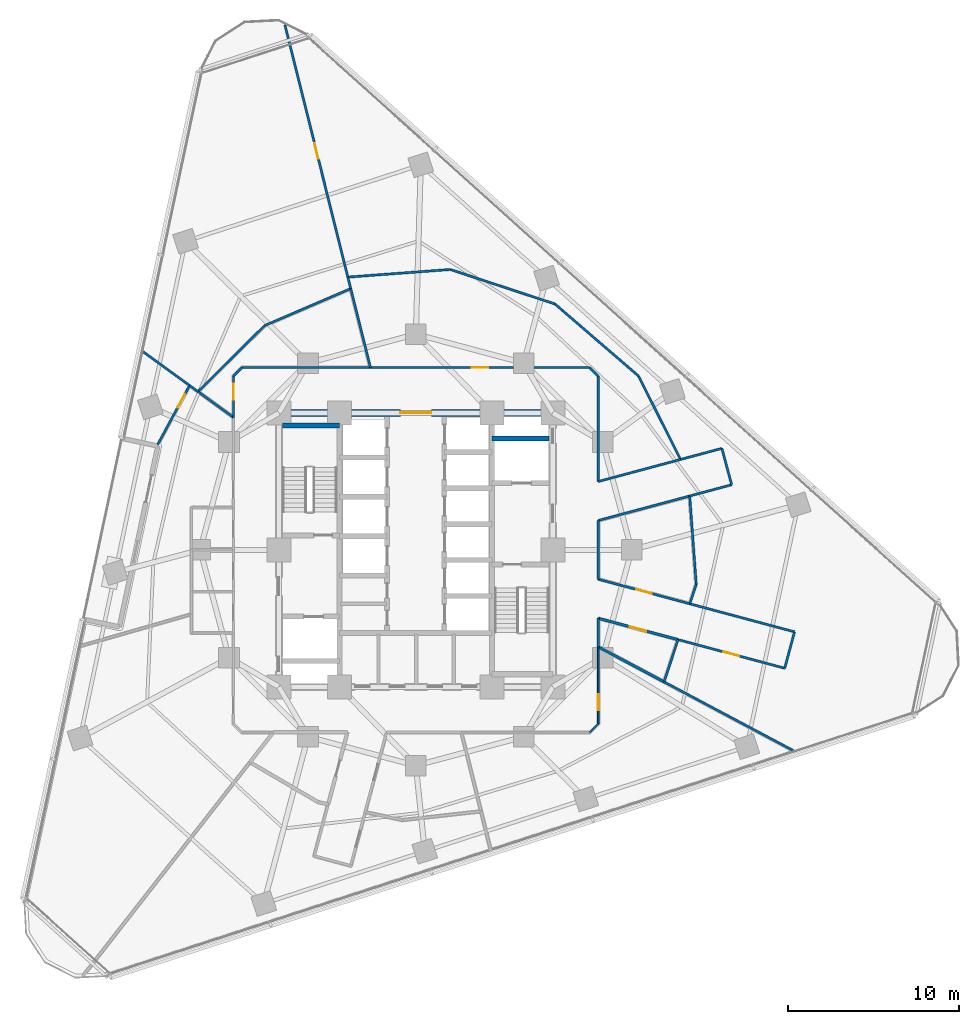
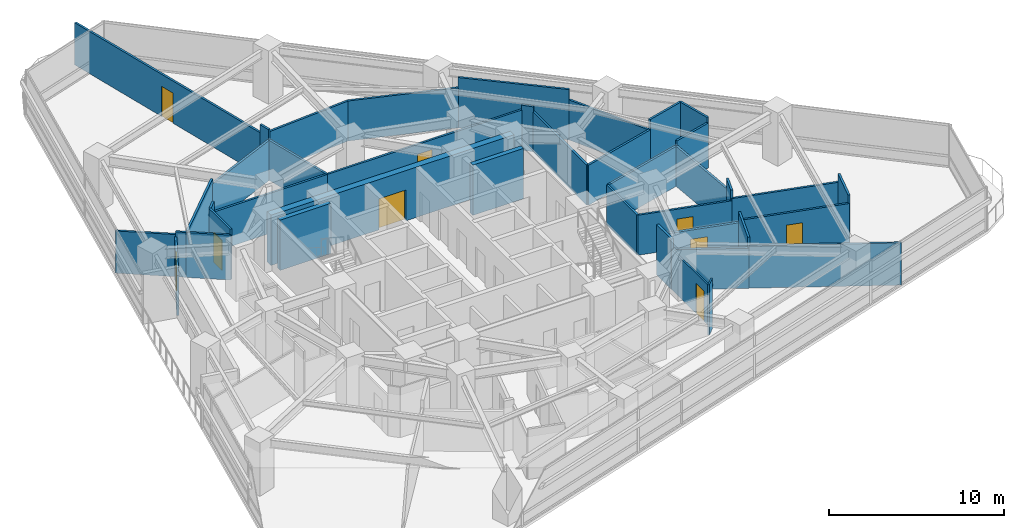
# One storey, part 9 of 14: 41 walls, 9 doors, 9 openings.
"""IFC4 building model written with IfcOpenShell, lengths in metres."""

from ifc_helpers import new_model, si_unit, direction, frame, frame_2d, origin, place, context, subcontext, project, spatial, rectangle, extrude, material, layer, layer_set, type_object, element, fill, save


model = new_model("IFC4")

# Units and contexts
model_context = context("Model", 3, precision=1e-05, world=origin(), true_north=direction((0.0, 1.0)))
body_context = subcontext(model_context, "Body", "Model", "MODEL_VIEW")
ifc_project = project(units=[si_unit("LENGTHUNIT", "METRE"), si_unit("AREAUNIT", "SQUARE_METRE"), si_unit("VOLUMEUNIT", "CUBIC_METRE"), si_unit("PLANEANGLEUNIT", "RADIAN"), si_unit("MASSUNIT", "GRAM", prefix="KILO")], contexts=[model_context])

# Site, building, storey
site_placement = place(None, origin())
site = spatial("IfcSite", under=ifc_project, at=site_placement, CompositionType="ELEMENT")
building_placement = place(site_placement, origin())
building = spatial("IfcBuilding", under=site, at=building_placement, Name="Terralouvre Media Tower", CompositionType="ELEMENT")
storey_placement = place(building_placement, frame((0.0, 0.0, 112.5)))
storey = spatial("IfcBuildingStorey", under=building, at=storey_placement, Name="L28", CompositionType="ELEMENT", Elevation=112.5)

# Walls
ifc_material_1 = material(Name="Concrete C50/60", Category="concrete")
ifc_layer_1 = layer(ifc_material_1, 0.300048828125, Name="Core Internal Shaft Wall CW-300")
ifc_layer_set_1 = layer_set([ifc_layer_1], Name="Concrete C50/60")
wall_type_1 = type_object("IfcWallType", Name="Core Internal Shaft Wall CW-300", PredefinedType="SHEAR", material=ifc_layer_set_1)
for number, where, z_axis, x_axis, name in (
    (1, (-7.7900390625, 7.260009765625, 0.0), (0.0, 0.0, 1.0), (1.0, 0.0, 0.0), "L28 Core Shaft Wall ST1F"),
    (2, (4.449951171875, 6.5, 0.0), (0.0, 0.0, 1.0), (1.0, 0.0, 0.0), "L28 Core Shaft Wall FF2N"),
):
    element("IfcWall", number, at=place(storey_placement, frame(where, z_axis=z_axis, x_axis=x_axis)), inside=storey, type_object=wall_type_1, Name=name, PredefinedType="SHEAR", context=body_context, shape_type="SweptSolid", body=[
        extrude(rectangle(XDim=3.340087890625, YDim=0.300048828125, at=frame_2d((1.669921875, 0.0))), origin(), (0.0, 0.0, 1.0), 3.5),
    ])

# Wall, opening, door
ifc_material_2 = material(Name="Concrete C60/75", Category="concrete")
ifc_layer_2 = layer(ifc_material_2, 0.419921875, Name="Core Reinforced Concrete Shear Wall CW-420")
ifc_layer_set_2 = layer_set([ifc_layer_2], Name="Concrete C60/75")
wall_type_2 = type_object("IfcWallType", Name="Core Reinforced Concrete Shear Wall CW-420", PredefinedType="SHEAR", material=ifc_layer_set_2)
wall_1_placement = place(storey_placement, frame((-8.0, 8.0, 0.0), z_axis=(0.0, 0.0, 1.0), x_axis=(1.0, 0.0, 0.0)))
wall_1 = element("IfcWall", 3, at=wall_1_placement, inside=storey, type_object=wall_type_2, Name="L28 N Core Shear Wall", PredefinedType="SHEAR", context=body_context, shape_type="SweptSolid", body=[
    extrude(rectangle(XDim=16.0, YDim=0.419921875, at=frame_2d((8.0, 0.0))), origin(), (0.0, 0.0, 1.0), 3.5),
])
opening_1_placement = place(wall_1_placement, frame((7.10009765625, 0.0, 0.0)))
opening_1 = element("IfcOpeningElement", 4, at=opening_1_placement, cuts=wall_1, Name="Opening FD-03", PredefinedType="OPENING", context=body_context, shape_type="SweptSolid", body=[
    extrude(rectangle(XDim=1.800048828125, YDim=2.14990234375, at=frame_2d((0.89990234375, 1.074951171875))), frame((0.0, 0.219970703125, 0.0), z_axis=(0.0, -1.0, 0.0), x_axis=(1.0, 0.0, 0.0)), (0.0, 0.0, 1.0), 0.43994140625),
])
ifc_material_3 = material(Name="Galvanised steel fire-resisting leaf", Category="steel")
door_type_1 = type_object("IfcDoorType", Name="Corridor Smoke-Control Double Door FD-03", OperationType="DOUBLE_DOOR_SINGLE_SWING", PredefinedType="DOOR", material=ifc_material_3)
door_1_placement = place(opening_1_placement, origin())
door_1 = element("IfcDoor", 5, at=door_1_placement, inside=storey, type_object=door_type_1, Name="L28 Central Lift Lobby Portal Door", OperationType="DOUBLE_DOOR_SINGLE_SWING", OverallHeight=2.14990234375, OverallWidth=1.800048828125, PredefinedType="DOOR", context=body_context, shape_type="SweptSolid", body=[
    extrude(rectangle(XDim=1.800048828125, YDim=2.14990234375, at=frame_2d((0.89990234375, 1.074951171875))), frame((0.0, 0.02490234375, 0.0), z_axis=(0.0, -1.0, 0.0), x_axis=(1.0, 0.0, 0.0)), (0.0, 0.0, 1.0), 0.050048828125),
])
fill(opening_1, door_1)

# Wall
ifc_material_4 = material(Name="Low-iron laminated double glazing with solar-control coating", Category="glass")
ifc_layer_3 = layer(ifc_material_4, 0.10009765625, Name="Demountable Glazed Office Partition PT-GL100")
ifc_layer_set_3 = layer_set([ifc_layer_3], Name="Low-iron laminated double glazing with solar-control coating")
wall_type_3 = type_object("IfcWallType", Name="Demountable Glazed Office Partition PT-GL100", PredefinedType="MOVABLE", material=ifc_layer_set_3)
wall_2_placement = place(storey_placement, frame((10.14990234375, -10.64990234375, 0.0), z_axis=(0.0, 0.0, 1.0), x_axis=(0.707106781187, 0.707106781187, 0.0)))
element("IfcWall", 6, at=wall_2_placement, inside=storey, type_object=wall_type_3, Name="L28 Interior Partition 029", PredefinedType="MOVABLE", context=body_context, shape_type="SweptSolid", body=[
    extrude(rectangle(XDim=0.70703125, YDim=0.10009765625, at=frame_2d((0.353515625, 0.0))), origin(), (0.0, 0.0, 1.0), 3.5),
])

# Wall, opening, door
wall_3_placement = place(storey_placement, frame((10.64990234375, -10.14990234375, 0.0), z_axis=(0.0, 0.0, 1.0), x_axis=(0.0, 1.0, 0.0)))
wall_3 = element("IfcWall", 7, at=wall_3_placement, inside=storey, type_object=wall_type_3, Name="L28 Interior Partition 030", PredefinedType="MOVABLE", context=body_context, shape_type="SweptSolid", body=[
    extrude(rectangle(XDim=4.48681640625, YDim=0.10009765625, at=frame_2d((2.243408203125, 0.0))), origin(), (0.0, 0.0, 1.0), 2.784912109375),
])
opening_2_placement = place(wall_3_placement, frame((0.79638671875, 0.0, 0.0)))
opening_2 = element("IfcOpeningElement", 8, at=opening_2_placement, cuts=wall_3, Name="Opening ID-03-92X210", PredefinedType="OPENING", context=body_context, shape_type="SweptSolid", body=[
    extrude(rectangle(XDim=0.919921875, YDim=2.10009765625, at=frame_2d((0.4599609375, 1.050048828125))), frame((0.0, 0.06005859375, 0.0), z_axis=(0.0, -1.0, 0.0), x_axis=(1.0, 0.0, 0.0)), (0.0, 0.0, 1.0), 0.1201171875),
])
ifc_material_5 = material(Name="Engineered hardwood acoustic timber leaf", Category="wood")
door_type_2 = type_object("IfcDoorType", Name="Accessible Restroom and Suite Door ID-03 (920x2100)", OperationType="NOTDEFINED", PredefinedType="DOOR", material=ifc_material_5)
door_2_placement = place(opening_2_placement, origin())
door_2 = element("IfcDoor", 9, at=door_2_placement, inside=storey, type_object=door_type_2, Name="L28 Compliance Review Seminar Room 9 Door", OperationType="SINGLE_SWING_RIGHT", OverallHeight=2.10009765625, OverallWidth=0.919921875, PredefinedType="DOOR", context=body_context, shape_type="SweptSolid", body=[
    extrude(rectangle(XDim=0.919921875, YDim=2.10009765625, at=frame_2d((0.4599609375, 1.050048828125))), frame((0.0, 0.02490234375, 0.0), z_axis=(0.0, -1.0, 0.0), x_axis=(1.0, 0.0, 0.0)), (0.0, 0.0, 1.0), 0.050048828125),
])
fill(opening_2, door_2)

# Walls
ifc_material_6 = material(Name="Fire-rated gypsum board drywall partition")
ifc_layer_4 = layer(ifc_material_6, 0.135009765625, Name="Newsroom Acoustic Partition PT-135")
ifc_layer_set_4 = layer_set([ifc_layer_4], Name="Fire-rated gypsum board drywall partition")
wall_type_4 = type_object("IfcWallType", Name="Newsroom Acoustic Partition PT-135", PredefinedType="PARTITIONING", material=ifc_layer_set_4)
wall_4_placement = place(storey_placement, frame((15.4599609375, 5.281005859375, 0.0), z_axis=(0.0, 0.0, 1.0), x_axis=(-0.96591522342, -0.258858612306, 0.0)))
element("IfcWall", 10, at=wall_4_placement, inside=storey, type_object=wall_type_4, Name="L28 Interior Partition 001", PredefinedType="PARTITIONING", context=body_context, shape_type="SweptSolid", body=[
    extrude(rectangle(XDim=4.979736328125, YDim=0.135009765625, at=frame_2d((2.48974609375, 0.0))), origin(), (0.0, 0.0, 1.0), 2.784912109375),
])
wall_5_placement = place(storey_placement, frame((10.64990234375, 3.991943359375, 0.0), z_axis=(0.0, 0.0, 1.0), x_axis=(0.0, 1.0, 0.0)))
element("IfcWall", 11, at=wall_5_placement, inside=storey, type_object=wall_type_4, Name="L28 Interior Partition 002", PredefinedType="PARTITIONING", context=body_context, shape_type="SweptSolid", body=[
    extrude(rectangle(XDim=6.157958984375, YDim=0.135009765625, at=frame_2d((3.0791015625, 0.0))), origin(), (0.0, 0.0, 1.0), 2.784912109375),
])
wall_6_placement = place(storey_placement, frame((10.64990234375, 10.14990234375, 0.0), z_axis=(0.0, 0.0, 1.0), x_axis=(-0.707106781187, 0.707106781187, 0.0)))
element("IfcWall", 12, at=wall_6_placement, inside=storey, type_object=wall_type_4, Name="L28 Interior Partition 003", PredefinedType="PARTITIONING", context=body_context, shape_type="SweptSolid", body=[
    extrude(rectangle(XDim=0.70703125, YDim=0.135009765625, at=frame_2d((0.353515625, 0.0))), origin(), (0.0, 0.0, 1.0), 3.125),
])

# Wall, opening, door
wall_7_placement = place(storey_placement, frame((10.14990234375, 10.64990234375, 0.0), z_axis=(0.0, 0.0, 1.0), x_axis=(-1.0, 0.0, 0.0)))
wall_7 = element("IfcWall", 13, at=wall_7_placement, inside=storey, type_object=wall_type_4, Name="L28 Interior Partition 004", PredefinedType="PARTITIONING", context=body_context, shape_type="SweptSolid", body=[
    extrude(rectangle(XDim=12.804931640625, YDim=0.135009765625, at=frame_2d((6.40234375, 0.0))), origin(), (0.0, 0.0, 1.0), 2.784912109375),
])
opening_3_placement = place(wall_7_placement, frame((5.927490234375, 0.0, 0.0)))
opening_3 = element("IfcOpeningElement", 14, at=opening_3_placement, cuts=wall_7, Name="Opening ID-02-95X210", PredefinedType="OPENING", context=body_context, shape_type="SweptSolid", body=[
    extrude(rectangle(XDim=0.949951171875, YDim=2.10009765625, at=frame_2d((0.47509765625, 1.050048828125))), frame((0.0, 0.077392578125, 0.0), z_axis=(0.0, -1.0, 0.0), x_axis=(1.0, 0.0, 0.0)), (0.0, 0.0, 1.0), 0.155029296875),
])
ifc_material_7 = material(Name="Engineered hardwood acoustic timber leaf", Category="wood")
door_type_3 = type_object("IfcDoorType", Name="Office and Meeting Room Door ID-02 (950x2100)", OperationType="NOTDEFINED", PredefinedType="DOOR", material=ifc_material_7)
door_3_placement = place(opening_3_placement, origin())
door_3 = element("IfcDoor", 15, at=door_3_placement, inside=storey, type_object=door_type_3, Name="L28 Sealed Legal Archive Storage 1 Door", OperationType="SINGLE_SWING_RIGHT", OverallHeight=2.10009765625, OverallWidth=0.949951171875, PredefinedType="DOOR", context=body_context, shape_type="SweptSolid", body=[
    extrude(rectangle(XDim=0.949951171875, YDim=2.10009765625, at=frame_2d((0.47509765625, 1.050048828125))), frame((0.0, 0.02490234375, 0.0), z_axis=(0.0, -1.0, 0.0), x_axis=(1.0, 0.0, 0.0)), (0.0, 0.0, 1.0), 0.050048828125),
])
fill(opening_3, door_3)

wall_8_placement = place(storey_placement, frame((15.31201171875, -5.241943359375, 0.0), z_axis=(0.0, 0.0, 1.0), x_axis=(0.965923394249, -0.258828121428, 0.0)))
wall_8 = element("IfcWall", 16, at=wall_8_placement, inside=storey, type_object=wall_type_4, Name="L28 Interior Partition 005", PredefinedType="PARTITIONING", context=body_context, shape_type="SweptSolid", body=[
    extrude(rectangle(XDim=6.452880859375, YDim=0.135009765625, at=frame_2d((3.2265625, 0.0))), origin(), (0.0, 0.0, 1.0), 2.93505859375),
])
opening_4_placement = place(wall_8_placement, frame((2.75146484375, 0.0, 0.0)))
opening_4 = element("IfcOpeningElement", 17, at=opening_4_placement, cuts=wall_8, Name="Opening ID-02-95X210", PredefinedType="OPENING", context=body_context, shape_type="SweptSolid", body=[
    extrude(rectangle(XDim=0.949951171875, YDim=2.10009765625, at=frame_2d((0.47509765625, 1.050048828125))), frame((0.0, 0.077392578125, 0.0), z_axis=(0.0, -1.0, 0.0), x_axis=(1.0, 0.0, 0.0)), (0.0, 0.0, 1.0), 0.155029296875),
])
door_4_placement = place(opening_4_placement, origin())
door_4 = element("IfcDoor", 18, at=door_4_placement, inside=storey, type_object=door_type_3, Name="L28 Deeds and Contracts Vault Store 2 Door", OperationType="SINGLE_SWING_LEFT", OverallHeight=2.10009765625, OverallWidth=0.949951171875, PredefinedType="DOOR", context=body_context, shape_type="SweptSolid", body=[
    extrude(rectangle(XDim=0.949951171875, YDim=2.10009765625, at=frame_2d((0.47509765625, 1.050048828125))), frame((0.0, 0.02490234375, 0.0), z_axis=(0.0, -1.0, 0.0), x_axis=(1.0, 0.0, 0.0)), (0.0, 0.0, 1.0), 0.050048828125),
])
fill(opening_4, door_4)

# Walls
wall_9_placement = place(storey_placement, frame((21.544921875, -6.912109375, 0.0), z_axis=(0.0, 0.0, 1.0), x_axis=(0.259105843213, 0.965848933329, 0.0)))
element("IfcWall", 19, at=wall_9_placement, inside=storey, type_object=wall_type_4, Name="L28 Interior Partition 006", PredefinedType="PARTITIONING", context=body_context, shape_type="SweptSolid", body=[
    extrude(rectangle(XDim=2.2001953125, YDim=0.135009765625, at=frame_2d((1.10009765625, 0.0))), origin(), (0.0, 0.0, 1.0), 3.5),
])
wall_10_placement = place(storey_placement, frame((22.114990234375, -4.787109375, 0.0), z_axis=(0.0, 0.0, 1.0), x_axis=(-0.965917916001, 0.258848564894, 0.0)))
element("IfcWall", 20, at=wall_10_placement, inside=storey, type_object=wall_type_4, Name="L28 Interior Partition 007", PredefinedType="PARTITIONING", context=body_context, shape_type="SweptSolid", body=[
    extrude(rectangle(XDim=6.32861328125, YDim=0.135009765625, at=frame_2d((3.164306640625, 0.0))), origin(), (0.0, 0.0, 1.0), 2.93505859375),
])
wall_11_placement = place(storey_placement, frame((15.993896484375, 3.14697265625, 0.0), z_axis=(0.0, 0.0, 1.0), x_axis=(0.965977255775, 0.258627031314, 0.0)))
element("IfcWall", 21, at=wall_11_placement, inside=storey, type_object=wall_type_4, Name="L28 Interior Partition 008", PredefinedType="PARTITIONING", context=body_context, shape_type="SweptSolid", body=[
    extrude(rectangle(XDim=2.536376953125, YDim=0.135009765625, at=frame_2d((1.26806640625, 0.0))), origin(), (0.0, 0.0, 1.0), 3.125),
])
wall_12_placement = place(storey_placement, frame((18.444091796875, 3.802978515625, 0.0), z_axis=(0.0, 0.0, 1.0), x_axis=(-0.258691706618, 0.965959937537, 0.0)))
element("IfcWall", 22, at=wall_12_placement, inside=storey, type_object=wall_type_4, Name="L28 Interior Partition 009", PredefinedType="PARTITIONING", context=body_context, shape_type="SweptSolid", body=[
    extrude(rectangle(XDim=2.199951171875, YDim=0.135009765625, at=frame_2d((1.10009765625, 0.0))), origin(), (0.0, 0.0, 1.0), 3.5),
])
wall_13_placement = place(storey_placement, frame((17.875, 5.927978515625, 0.0), z_axis=(0.0, 0.0, 1.0), x_axis=(-0.96593933493, -0.258768624905, 0.0)))
element("IfcWall", 23, at=wall_13_placement, inside=storey, type_object=wall_type_4, Name="L28 Interior Partition 010", PredefinedType="PARTITIONING", context=body_context, shape_type="SweptSolid", body=[
    extrude(rectangle(XDim=2.500244140625, YDim=0.135009765625, at=frame_2d((1.25, 0.0))), origin(), (0.0, 0.0, 1.0), 3.5),
])

# Wall, opening, door
wall_14_placement = place(storey_placement, frame((16.001953125, -3.14892578125, 0.0), z_axis=(0.0, 0.0, 1.0), x_axis=(-0.965936644937, 0.258778665985, 0.0)))
wall_14 = element("IfcWall", 24, at=wall_14_placement, inside=storey, type_object=wall_type_4, Name="L28 Interior Partition 011", PredefinedType="PARTITIONING", context=body_context, shape_type="SweptSolid", body=[
    extrude(rectangle(XDim=5.540771484375, YDim=0.135009765625, at=frame_2d((2.7705078125, 0.0))), origin(), (0.0, 0.0, 1.0), 2.784912109375),
])
opening_5_placement = place(wall_14_placement, frame((2.29541015625, 0.0, 0.0)))
opening_5 = element("IfcOpeningElement", 25, at=opening_5_placement, cuts=wall_14, Name="Opening ID-02-95X210", PredefinedType="OPENING", context=body_context, shape_type="SweptSolid", body=[
    extrude(rectangle(XDim=0.949951171875, YDim=2.10009765625, at=frame_2d((0.47509765625, 1.050048828125))), frame((0.0, 0.077392578125, 0.0), z_axis=(0.0, -1.0, 0.0), x_axis=(1.0, 0.0, 0.0)), (0.0, 0.0, 1.0), 0.155029296875),
])
door_5_placement = place(opening_5_placement, origin())
door_5 = element("IfcDoor", 26, at=door_5_placement, inside=storey, type_object=door_type_3, Name="L28 Editorial Collaborative Open Office 3 Door", OperationType="SINGLE_SWING_RIGHT", OverallHeight=2.10009765625, OverallWidth=0.949951171875, PredefinedType="DOOR", context=body_context, shape_type="SweptSolid", body=[
    extrude(rectangle(XDim=0.949951171875, YDim=2.10009765625, at=frame_2d((0.47509765625, 1.050048828125))), frame((0.0, 0.02490234375, 0.0), z_axis=(0.0, -1.0, 0.0), x_axis=(1.0, 0.0, 0.0)), (0.0, 0.0, 1.0), 0.050048828125),
])
fill(opening_5, door_5)

# Walls
wall_15_placement = place(storey_placement, frame((10.64990234375, -1.715087890625, 0.0), z_axis=(0.0, 0.0, 1.0), x_axis=(0.0, 1.0, 0.0)))
element("IfcWall", 27, at=wall_15_placement, inside=storey, type_object=wall_type_4, Name="L28 Interior Partition 012", PredefinedType="PARTITIONING", context=body_context, shape_type="SweptSolid", body=[
    extrude(rectangle(XDim=3.43017578125, YDim=0.135009765625, at=frame_2d((1.715087890625, 0.0))), origin(), (0.0, 0.0, 1.0), 2.784912109375),
])
wall_16_placement = place(storey_placement, frame((10.64990234375, 1.715087890625, 0.0), z_axis=(0.0, 0.0, 1.0), x_axis=(0.965927369368, 0.258813286187, 0.0)))
element("IfcWall", 28, at=wall_16_placement, inside=storey, type_object=wall_type_4, Name="L28 Interior Partition 013", PredefinedType="PARTITIONING", context=body_context, shape_type="SweptSolid", body=[
    extrude(rectangle(XDim=5.532470703125, YDim=0.135009765625, at=frame_2d((2.76611328125, 0.0))), origin(), (0.0, 0.0, 1.0), 2.784912109375),
])
wall_17_placement = place(storey_placement, frame((-2.655029296875, 10.64990234375, 0.0), z_axis=(0.0, 0.0, 1.0), x_axis=(-1.0, 0.0, 0.0)))
element("IfcWall", 29, at=wall_17_placement, inside=storey, type_object=wall_type_4, Name="L28 Interior Partition 031", PredefinedType="PARTITIONING", context=body_context, shape_type="SweptSolid", body=[
    extrude(rectangle(XDim=7.494873046875, YDim=0.135009765625, at=frame_2d((3.74755859375, 0.0))), origin(), (0.0, 0.0, 1.0), 2.784912109375),
])
wall_18_placement = place(storey_placement, frame((-10.14990234375, 10.64990234375, 0.0), z_axis=(0.0, 0.0, 1.0), x_axis=(-0.707106781187, -0.707106781187, 0.0)))
element("IfcWall", 30, at=wall_18_placement, inside=storey, type_object=wall_type_4, Name="L28 Interior Partition 032", PredefinedType="PARTITIONING", context=body_context, shape_type="SweptSolid", body=[
    extrude(rectangle(XDim=0.70703125, YDim=0.135009765625, at=frame_2d((0.353515625, 0.0))), origin(), (0.0, 0.0, 1.0), 3.5),
])

# Wall, opening, door
wall_19_placement = place(storey_placement, frame((-10.64990234375, 10.14990234375, 0.0), z_axis=(0.0, 0.0, 1.0), x_axis=(0.0, -1.0, 0.0)))
wall_19 = element("IfcWall", 31, at=wall_19_placement, inside=storey, type_object=wall_type_4, Name="L28 Interior Partition 033", PredefinedType="PARTITIONING", context=body_context, shape_type="SweptSolid", body=[
    extrude(rectangle(XDim=2.411865234375, YDim=0.135009765625, at=frame_2d((1.2060546875, 0.0))), origin(), (0.0, 0.0, 1.0), 3.5),
])
opening_6_placement = place(wall_19_placement, frame((0.441650390625, 0.0, 0.0)))
opening_6 = element("IfcOpeningElement", 32, at=opening_6_placement, cuts=wall_19, Name="Opening ID-02-95X210", PredefinedType="OPENING", context=body_context, shape_type="SweptSolid", body=[
    extrude(rectangle(XDim=0.949951171875, YDim=2.10009765625, at=frame_2d((0.47509765625, 1.050048828125))), frame((0.0, 0.077392578125, 0.0), z_axis=(0.0, -1.0, 0.0), x_axis=(1.0, 0.0, 0.0)), (0.0, 0.0, 1.0), 0.155029296875),
])
door_6_placement = place(opening_6_placement, origin())
door_6 = element("IfcDoor", 33, at=door_6_placement, inside=storey, type_object=door_type_3, Name="L28 Intellectual Property Office 11 Door", OperationType="SINGLE_SWING_LEFT", OverallHeight=2.10009765625, OverallWidth=0.949951171875, PredefinedType="DOOR", context=body_context, shape_type="SweptSolid", body=[
    extrude(rectangle(XDim=0.949951171875, YDim=2.10009765625, at=frame_2d((0.47509765625, 1.050048828125))), frame((0.0, 0.02490234375, 0.0), z_axis=(0.0, -1.0, 0.0), x_axis=(1.0, 0.0, 0.0)), (0.0, 0.0, 1.0), 0.050048828125),
])
fill(opening_6, door_6)

# Walls
wall_20_placement = place(storey_placement, frame((15.4599609375, 5.281005859375, 0.0), z_axis=(0.0, 0.0, 1.0), x_axis=(-0.45007231558, 0.892992111246, 0.0)))
element("IfcWall", 34, at=wall_20_placement, inside=storey, type_object=wall_type_4, Name="L28 Interior Partition 036", PredefinedType="PARTITIONING", context=body_context, shape_type="SweptSolid", body=[
    extrude(rectangle(XDim=5.46142578125, YDim=0.135009765625, at=frame_2d((2.730712890625, 0.0))), origin(), (0.0, 0.0, 1.0), 2.784912109375),
])
wall_21_placement = place(storey_placement, frame((13.001953125, 10.157958984375, 0.0), z_axis=(0.0, 0.0, 1.0), x_axis=(-0.757497901086, 0.652837598373, 0.0)))
element("IfcWall", 35, at=wall_21_placement, inside=storey, type_object=wall_type_4, Name="L28 Interior Partition 037", PredefinedType="PARTITIONING", context=body_context, shape_type="SweptSolid", body=[
    extrude(rectangle(XDim=6.438232421875, YDim=0.135009765625, at=frame_2d((3.21923828125, 0.0))), origin(), (0.0, 0.0, 1.0), 3.5),
])
wall_22_placement = place(storey_placement, frame((8.125, 14.361083984375, 0.0), z_axis=(0.0, 0.0, 1.0), x_axis=(-0.949709761003, 0.313131553592, 0.0)))
element("IfcWall", 36, at=wall_22_placement, inside=storey, type_object=wall_type_4, Name="L28 Interior Partition 038", PredefinedType="PARTITIONING", context=body_context, shape_type="SweptSolid", body=[
    extrude(rectangle(XDim=6.437744140625, YDim=0.135009765625, at=frame_2d((3.21875, 0.0))), origin(), (0.0, 0.0, 1.0), 2.784912109375),
])
wall_23_placement = place(storey_placement, frame((2.010986328125, 16.376953125, 0.0), z_axis=(0.0, 0.0, 1.0), x_axis=(-0.997244499183, -0.074184963764, 0.0)))
element("IfcWall", 37, at=wall_23_placement, inside=storey, type_object=wall_type_4, Name="L28 Interior Partition 039", PredefinedType="PARTITIONING", context=body_context, shape_type="SweptSolid", body=[
    extrude(rectangle(XDim=5.99951171875, YDim=0.135009765625, at=frame_2d((2.999755859375, 0.0))), origin(), (0.0, 0.0, 1.0), 2.784912109375),
])
wall_24_placement = place(storey_placement, frame((-3.971923828125, 15.931884765625, 0.0), z_axis=(0.0, 0.0, 1.0), x_axis=(0.241207800827, -0.970473491045, 0.0)))
element("IfcWall", 38, at=wall_24_placement, inside=storey, type_object=wall_type_4, Name="L28 Interior Partition 040", PredefinedType="PARTITIONING", context=body_context, shape_type="SweptSolid", body=[
    extrude(rectangle(XDim=0.6923828125, YDim=0.135009765625, at=frame_2d((0.34619140625, 0.0))), origin(), (0.0, 0.0, 1.0), 3.5),
])
wall_25_placement = place(storey_placement, frame((-3.804931640625, 15.260009765625, 0.0), z_axis=(0.0, 0.0, 1.0), x_axis=(0.242015711327, -0.970272330571, 0.0)))
element("IfcWall", 39, at=wall_25_placement, inside=storey, type_object=wall_type_4, Name="L28 Interior Partition 041", PredefinedType="PARTITIONING", context=body_context, shape_type="SweptSolid", body=[
    extrude(rectangle(XDim=4.75146484375, YDim=0.135009765625, at=frame_2d((2.375732421875, 0.0))), origin(), (0.0, 0.0, 1.0), 2.784912109375),
])
wall_26_placement = place(storey_placement, frame((15.993896484375, 3.14697265625, 0.0), z_axis=(0.0, 0.0, 1.0), x_axis=(0.074061203772, -0.99725369796, 0.0)))
element("IfcWall", 40, at=wall_26_placement, inside=storey, type_object=wall_type_4, Name="L28 Interior Partition 042", PredefinedType="PARTITIONING", context=body_context, shape_type="SweptSolid", body=[
    extrude(rectangle(XDim=5.172119140625, YDim=0.135009765625, at=frame_2d((2.5859375, 0.0))), origin(), (0.0, 0.0, 1.0), 2.784912109375),
])
wall_27_placement = place(storey_placement, frame((16.376953125, -2.010986328125, 0.0), z_axis=(0.0, 0.0, 1.0), x_axis=(-0.312986027466, -0.949757730482, 0.0)))
element("IfcWall", 41, at=wall_27_placement, inside=storey, type_object=wall_type_4, Name="L28 Interior Partition 043", PredefinedType="PARTITIONING", context=body_context, shape_type="SweptSolid", body=[
    extrude(rectangle(XDim=1.1982421875, YDim=0.135009765625, at=frame_2d((0.59912109375, 0.0))), origin(), (0.0, 0.0, 1.0), 3.5),
])
wall_28_placement = place(storey_placement, frame((15.31201171875, -5.241943359375, 0.0), z_axis=(0.0, 0.0, 1.0), x_axis=(-0.313322366974, -0.949646826117, 0.0)))
element("IfcWall", 42, at=wall_28_placement, inside=storey, type_object=wall_type_4, Name="L28 Interior Partition 044", PredefinedType="PARTITIONING", context=body_context, shape_type="SweptSolid", body=[
    extrude(rectangle(XDim=2.597900390625, YDim=0.135009765625, at=frame_2d((1.298828125, 0.0))), origin(), (0.0, 0.0, 1.0), 3.5),
])
wall_29_placement = place(storey_placement, frame((14.498046875, -7.708984375, 0.0), z_axis=(0.0, 0.0, 1.0), x_axis=(0.882923859613, -0.469516195808, 0.0)))
element("IfcWall", 43, at=wall_29_placement, inside=storey, type_object=wall_type_4, Name="L28 Interior Partition 045", PredefinedType="PARTITIONING", context=body_context, shape_type="SweptSolid", body=[
    extrude(rectangle(XDim=8.702392578125, YDim=0.135009765625, at=frame_2d((4.35107421875, 0.0))), origin(), (0.0, 0.0, 1.0), 2.93505859375),
])

# Wall, opening, door
wall_30_placement = place(storey_placement, frame((-7.64599609375, 30.6650390625, 0.0), z_axis=(0.0, 0.0, 1.0), x_axis=(0.241964325752, -0.970285146265, 0.0)))
wall_30 = element("IfcWall", 44, at=wall_30_placement, inside=storey, type_object=wall_type_4, Name="L28 Interior Partition 046", PredefinedType="PARTITIONING", context=body_context, shape_type="SweptSolid", body=[
    extrude(rectangle(XDim=15.184326171875, YDim=0.135009765625, at=frame_2d((7.59228515625, 0.0))), origin(), (0.0, 0.0, 1.0), 2.93505859375),
])
opening_7_placement = place(wall_30_placement, frame((7.132080078125, 0.0, 0.0)))
opening_7 = element("IfcOpeningElement", 45, at=opening_7_placement, cuts=wall_30, Name="Opening ID-03-92X210", PredefinedType="OPENING", context=body_context, shape_type="SweptSolid", body=[
    extrude(rectangle(XDim=0.919921875, YDim=2.10009765625, at=frame_2d((0.4599609375, 1.050048828125))), frame((0.0, 0.077392578125, 0.0), z_axis=(0.0, -1.0, 0.0), x_axis=(1.0, 0.0, 0.0)), (0.0, 0.0, 1.0), 0.155029296875),
])
door_7_placement = place(opening_7_placement, origin())
door_7 = element("IfcDoor", 46, at=door_7_placement, inside=storey, type_object=door_type_2, Name="L28 Legal Counsel Suite Office 10 Door", OperationType="SINGLE_SWING_RIGHT", OverallHeight=2.10009765625, OverallWidth=0.919921875, PredefinedType="DOOR", context=body_context, shape_type="SweptSolid", body=[
    extrude(rectangle(XDim=0.919921875, YDim=2.10009765625, at=frame_2d((0.4599609375, 1.050048828125))), frame((0.0, 0.02490234375, 0.0), z_axis=(0.0, -1.0, 0.0), x_axis=(1.0, 0.0, 0.0)), (0.0, 0.0, 1.0), 0.050048828125),
])
fill(opening_7, door_7)

# Walls
wall_31_placement = place(storey_placement, frame((-12.72412109375, 9.243896484375, 0.0), z_axis=(0.0, 0.0, 1.0), x_axis=(0.710198472987, 0.704001512049, 0.0)))
element("IfcWall", 47, at=wall_31_placement, inside=storey, type_object=wall_type_4, Name="L28 Interior Partition 063", PredefinedType="PARTITIONING", context=body_context, shape_type="SweptSolid", body=[
    extrude(rectangle(XDim=5.47607421875, YDim=0.135009765625, at=frame_2d((2.738037109375, 0.0))), origin(), (0.0, 0.0, 1.0), 3.125),
])
wall_32_placement = place(storey_placement, frame((-8.8349609375, 13.09912109375, 0.0), z_axis=(0.0, 0.0, 1.0), x_axis=(0.918803297785, 0.394715720463, 0.0)))
element("IfcWall", 48, at=wall_32_placement, inside=storey, type_object=wall_type_4, Name="L28 Interior Partition 064", PredefinedType="PARTITIONING", context=body_context, shape_type="SweptSolid", body=[
    extrude(rectangle(XDim=5.474609375, YDim=0.135009765625, at=frame_2d((2.7373046875, 0.0))), origin(), (0.0, 0.0, 1.0), 2.784912109375),
])
wall_33_placement = place(storey_placement, frame((-16.00439453125, 11.627685546875, 0.0), z_axis=(0.0, 0.0, 1.0), x_axis=(0.80894744699, -0.587880964148, 0.0)))
element("IfcWall", 49, at=wall_33_placement, inside=storey, type_object=wall_type_4, Name="L28 Interior Partition 065", PredefinedType="PARTITIONING", context=body_context, shape_type="SweptSolid", body=[
    extrude(rectangle(XDim=3.445556640625, YDim=0.135009765625, at=frame_2d((1.72265625, 0.0))), origin(), (0.0, 0.0, 1.0), 2.93505859375),
])
wall_34_placement = place(storey_placement, frame((-13.217041015625, 9.60205078125, 0.0), z_axis=(0.0, 0.0, 1.0), x_axis=(0.808995913271, -0.587814266849, 0.0)))
element("IfcWall", 50, at=wall_34_placement, inside=storey, type_object=wall_type_4, Name="L28 Interior Partition 066", PredefinedType="PARTITIONING", context=body_context, shape_type="SweptSolid", body=[
    extrude(rectangle(XDim=0.609375, YDim=0.135009765625, at=frame_2d((0.3046875, 0.0))), origin(), (0.0, 0.0, 1.0), 3.125),
])
wall_35_placement = place(storey_placement, frame((-12.72412109375, 9.243896484375, 0.0), z_axis=(0.0, 0.0, 1.0), x_axis=(0.809230060509, -0.587491880087, 0.0)))
element("IfcWall", 51, at=wall_35_placement, inside=storey, type_object=wall_type_4, Name="L28 Interior Partition 067", PredefinedType="PARTITIONING", context=body_context, shape_type="SweptSolid", body=[
    extrude(rectangle(XDim=2.563232421875, YDim=0.135009765625, at=frame_2d((1.28173828125, 0.0))), origin(), (0.0, 0.0, 1.0), 3.125),
])

# Wall, opening, door
wall_36_placement = place(storey_placement, frame((-15.07861328125, 6.1494140625, 0.0), z_axis=(0.0, 0.0, 1.0), x_axis=(0.474585971175, 0.88020915467, 0.0)))
wall_36 = element("IfcWall", 52, at=wall_36_placement, inside=storey, type_object=wall_type_4, Name="L28 Interior Partition 068", PredefinedType="PARTITIONING", context=body_context, shape_type="SweptSolid", body=[
    extrude(rectangle(XDim=3.922607421875, YDim=0.135009765625, at=frame_2d((1.96142578125, 0.0))), origin(), (0.0, 0.0, 1.0), 2.784912109375),
])
opening_8_placement = place(wall_36_placement, frame((2.449951171875, 0.0, 0.0)))
opening_8 = element("IfcOpeningElement", 53, at=opening_8_placement, cuts=wall_36, Name="Opening ID-03-92X210", PredefinedType="OPENING", context=body_context, shape_type="SweptSolid", body=[
    extrude(rectangle(XDim=0.919921875, YDim=2.10009765625, at=frame_2d((0.4599609375, 1.050048828125))), frame((0.0, 0.077392578125, 0.0), z_axis=(0.0, -1.0, 0.0), x_axis=(1.0, 0.0, 0.0)), (0.0, 0.0, 1.0), 0.155029296875),
])
door_8_placement = place(opening_8_placement, origin())
door_8 = element("IfcDoor", 54, at=door_8_placement, inside=storey, type_object=door_type_2, Name="L28 Corporate Strategy Open Office 12 Door", OperationType="SINGLE_SWING_LEFT", OverallHeight=2.10009765625, OverallWidth=0.919921875, PredefinedType="DOOR", context=body_context, shape_type="SweptSolid", body=[
    extrude(rectangle(XDim=0.919921875, YDim=2.10009765625, at=frame_2d((0.4599609375, 1.050048828125))), frame((0.0, 0.02490234375, 0.0), z_axis=(0.0, -1.0, 0.0), x_axis=(1.0, 0.0, 0.0)), (0.0, 0.0, 1.0), 0.050048828125),
])
fill(opening_8, door_8)

# Wall
ifc_material_8 = material(Name="Fire-rated gypsum board drywall partition")
ifc_layer_5 = layer(ifc_material_8, 0.159912109375, Name="Studio Acoustic Rated Partition PT-160")
ifc_layer_set_5 = layer_set([ifc_layer_5], Name="Fire-rated gypsum board drywall partition")
wall_type_5 = type_object("IfcWallType", Name="Studio Acoustic Rated Partition PT-160", PredefinedType="PARTITIONING", material=ifc_layer_set_5)
wall_37_placement = place(storey_placement, frame((10.64990234375, -5.6630859375, 0.0), z_axis=(0.0, 0.0, 1.0), x_axis=(0.0, 1.0, 0.0)))
element("IfcWall", 55, at=wall_37_placement, inside=storey, type_object=wall_type_5, Name="L28 Interior Partition 019", PredefinedType="PARTITIONING", context=body_context, shape_type="SweptSolid", body=[
    extrude(rectangle(XDim=1.671142578125, YDim=0.159912109375, at=frame_2d((0.83544921875, 0.0))), origin(), (0.0, 0.0, 1.0), 3.5),
])

# Wall, opening, door
wall_38_placement = place(storey_placement, frame((10.64990234375, -3.991943359375, 0.0), z_axis=(0.0, 0.0, 1.0), x_axis=(0.965884815894, -0.258972049507, 0.0)))
wall_38 = element("IfcWall", 56, at=wall_38_placement, inside=storey, type_object=wall_type_5, Name="L28 Interior Partition 020", PredefinedType="PARTITIONING", context=body_context, shape_type="SweptSolid", body=[
    extrude(rectangle(XDim=4.82666015625, YDim=0.159912109375, at=frame_2d((2.413330078125, 0.0))), origin(), (0.0, 0.0, 1.0), 2.784912109375),
])
opening_9_placement = place(wall_38_placement, frame((1.913330078125, 0.0, 0.0)))
opening_9 = element("IfcOpeningElement", 57, at=opening_9_placement, cuts=wall_38, Name="Opening ID-01-100X215", PredefinedType="OPENING", context=body_context, shape_type="SweptSolid", body=[
    extrude(rectangle(XDim=1.0, YDim=2.14990234375, at=frame_2d((0.5, 1.074951171875))), frame((0.0, 0.08984375, 0.0), z_axis=(0.0, -1.0, 0.0), x_axis=(1.0, 0.0, 0.0)), (0.0, 0.0, 1.0), 0.179931640625),
])
ifc_material_9 = material(Name="Engineered hardwood acoustic timber leaf", Category="wood")
door_type_4 = type_object("IfcDoorType", Name="Broadcast Studio Acoustic Single Door ID-01 (1000x2150)", OperationType="NOTDEFINED", PredefinedType="DOOR", material=ifc_material_9)
door_9_placement = place(opening_9_placement, origin())
door_9 = element("IfcDoor", 58, at=door_9_placement, inside=storey, type_object=door_type_4, Name="L28 Executive Security Control Room 6 Door", OperationType="SINGLE_SWING_LEFT", OverallHeight=2.14990234375, OverallWidth=1.0, PredefinedType="DOOR", context=body_context, shape_type="SweptSolid", body=[
    extrude(rectangle(XDim=1.0, YDim=2.14990234375, at=frame_2d((0.5, 1.074951171875))), frame((0.0, 0.02490234375, 0.0), z_axis=(0.0, -1.0, 0.0), x_axis=(1.0, 0.0, 0.0)), (0.0, 0.0, 1.0), 0.050048828125),
])
fill(opening_9, door_9)

# Wall
wall_39_placement = place(storey_placement, frame((10.64990234375, -5.6630859375, 0.0), z_axis=(0.0, 0.0, 1.0), x_axis=(0.882966263113, -0.469436447461, 0.0)))
element("IfcWall", 59, at=wall_39_placement, inside=storey, type_object=wall_type_5, Name="L28 Interior Partition 054", PredefinedType="PARTITIONING", context=body_context, shape_type="SweptSolid", body=[
    extrude(rectangle(XDim=4.358154296875, YDim=0.159912109375, at=frame_2d((2.17919921875, 0.0))), origin(), (0.0, 0.0, 1.0), 2.784912109375),
])

save(model, "model.ifc")
